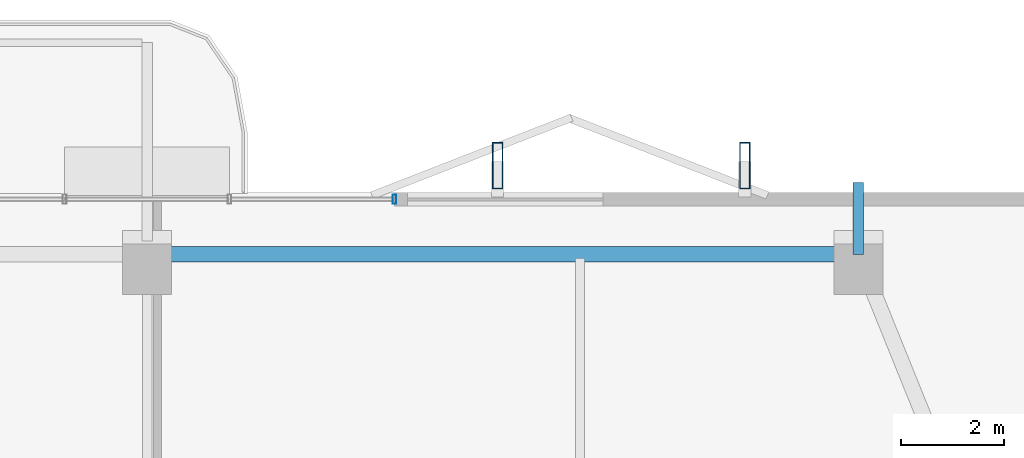
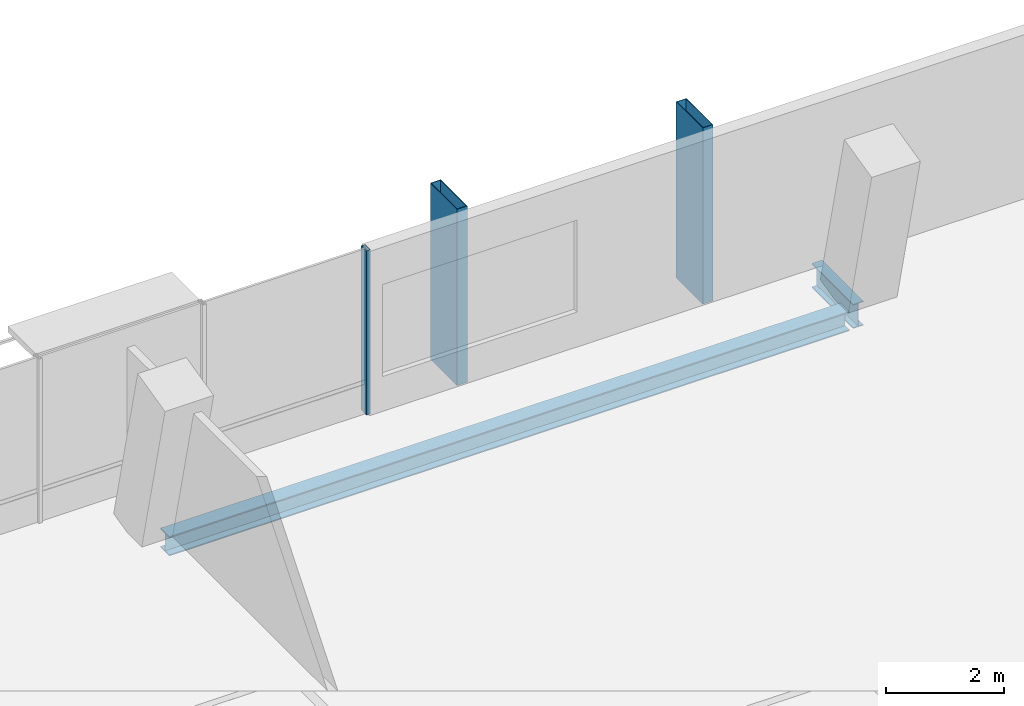
# One storey, part 16 of 25: 3 members, 2 beams, 1 element without a shape of its own.
"""IFC4 building model written with IfcOpenShell, lengths in metres."""

from ifc_helpers import new_model, si_unit, direction, frame, origin, origin_2d, place, context, subcontext, project, spatial, hollow_rectangle, i_section, extrude, material, layer, layer_set, material_profile, profile_set, type_object, element, aggregate, save


model = new_model("IFC4")

# Units and contexts
model_context = context("Model", 3, precision=1e-05, world=origin(), true_north=direction((0.0, 1.0)))
body_context = subcontext(model_context, "Body", "Model", "MODEL_VIEW")
ifc_project = project(units=[si_unit("LENGTHUNIT", "METRE"), si_unit("AREAUNIT", "SQUARE_METRE"), si_unit("VOLUMEUNIT", "CUBIC_METRE"), si_unit("PLANEANGLEUNIT", "RADIAN"), si_unit("MASSUNIT", "GRAM", prefix="KILO")], contexts=[model_context])

# Site, building, storey
site_placement = place(None, origin())
site = spatial("IfcSite", under=ifc_project, at=site_placement, CompositionType="ELEMENT")
building_placement = place(site_placement, origin())
building = spatial("IfcBuilding", under=site, at=building_placement, Name="Belovzor Exchange Tower", CompositionType="ELEMENT")
storey_placement = place(building_placement, frame((0.0, 0.0, 280.35009765625)))
storey = spatial("IfcBuildingStorey", under=building, at=storey_placement, Name="L70", CompositionType="ELEMENT", Elevation=280.35009765625)

# Beam
ifc_material_1 = material(Name="Steel S355", Category="steel")
ifc_material_profile_1 = material_profile(ifc_material_1, i_section(OverallWidth=0.199951171875, OverallDepth=0.5, WebThickness=0.01025390625, FlangeThickness=0.01611328125, at=origin_2d()))
ifc_profile_set_1 = profile_set([ifc_material_profile_1], Name="Steel S355")
beam_type_1 = type_object("IfcBeamType", Name="Planted Balcony Cantilever Beam IPE 500", PredefinedType="BEAM", material=ifc_profile_set_1)
beam_1_placement = place(storey_placement, frame((42.60009765625, 52.5, -0.5), z_axis=(0.0, 1.0, 0.0), x_axis=(-1.0, 0.0, 0.0)))
element("IfcBeam", 1, at=beam_1_placement, inside=storey, type_object=beam_type_1, Name="BC-500 Planted Balcony Cantilever Beam IPE 500", PredefinedType="BEAM", context=body_context, shape_type="SweptSolid", body=[
    extrude(i_section(OverallWidth=0.199951171875, OverallDepth=0.5, WebThickness=0.01025390625, FlangeThickness=0.01611328125, at=origin_2d()), origin(), (0.0, 0.0, 1.0), 1.39990234375),
])

# Members
ifc_material_2 = material(Name="Extruded Architectural Terracotta on Steel S355 Carrier", Category="masonry")
ifc_material_profile_2 = material_profile(ifc_material_2, hollow_rectangle(XDim=0.199951171875, YDim=0.89990234375, WallThickness=0.011962890625, at=origin_2d()))
ifc_profile_set_2 = profile_set([ifc_material_profile_2], Name="Extruded Architectural Terracotta on Steel S355 Carrier")
member_type_1 = type_object("IfcMemberType", Name="Sweeping Terracotta Baguette Fin Assembly 950", PredefinedType="USERDEFINED", material=ifc_profile_set_2)
for number, where, z_axis, x_axis, name in (
    (2, (35.60009765625, 54.22509765625, -0.25), (0.0, 0.0, 1.0), (1.0, 0.0, 0.0), "FIN-TC095 Terracotta Facade Fin L70 N3"),
    (3, (40.39990234375, 54.22509765625, -0.25), (0.0, 0.0, 1.0), (1.0, 0.0, 0.0), "FIN-TC095 Terracotta Facade Fin L70 N4"),
):
    element("IfcMember", number, at=place(storey_placement, frame(where, z_axis=z_axis, x_axis=x_axis)), inside=storey, type_object=member_type_1, Name=name, ObjectType="FIN", PredefinedType="USERDEFINED", context=body_context, shape_type="SweptSolid", body=[
        extrude(hollow_rectangle(XDim=0.199951171875, YDim=0.89990234375, WallThickness=0.011962890625, at=origin_2d()), origin(), (0.0, 0.0, 1.0), 3.639892578125),
    ])

# Curtain wall, member
ifc_material_3 = material(Name="Anodised Aluminium Framing", Category="aluminium")
ifc_layer = layer(ifc_material_3, 0.179931640625)
ifc_layer_set = layer_set([ifc_layer], Name="Anodised Aluminium Framing")
curtain_wall_type = type_object("IfcCurtainWallType", Name="Recessed Loggia Low-Iron Triple-Glazed Curtain Wall", PredefinedType="NOTDEFINED", material=ifc_layer_set)
curtain_wall_placement = place(storey_placement, origin())
curtain_wall = element("IfcCurtainWall", 4, at=curtain_wall_placement, inside=storey, type_object=curtain_wall_type, Name="CW3 Recessed Loggia Low-Iron Triple-Glazed Curtain Wall L70", PredefinedType="NOTDEFINED")
ifc_material_4 = material(Name="Steel S355", Category="steel")
ifc_material_profile_3 = material_profile(ifc_material_4, hollow_rectangle(XDim=0.074951171875, YDim=0.179931640625, WallThickness=0.0048828125, at=origin_2d()))
ifc_profile_set_3 = profile_set([ifc_material_profile_3], Name="Steel S355")
member_type_2 = type_object("IfcMemberType", Name="Thermally Broken Curtain Wall Mullion 180x75", PredefinedType="MULLION", material=ifc_profile_set_3)
member_placement = place(storey_placement, frame((33.60009765625, 53.570068359375, 0.0), z_axis=(0.0, 0.0, 1.0), x_axis=(1.0, 0.0, 0.0)))
member = element("IfcMember", 5, at=member_placement, type_object=member_type_2, Name="CW-M180 Curtain Wall Mullion 4", PredefinedType="MULLION", context=body_context, shape_type="SweptSolid", body=[
    extrude(hollow_rectangle(XDim=0.074951171875, YDim=0.179931640625, WallThickness=0.0048828125, at=origin_2d()), origin(), (0.0, 0.0, 1.0), 3.389892578125),
])
aggregate(curtain_wall, [member])

# Beam
ifc_material_5 = material(Name="Steel S355", Category="steel")
ifc_material_profile_4 = material_profile(ifc_material_5, i_section(OverallWidth=0.300048828125, OverallDepth=0.39990234375, WebThickness=0.013427734375, FlangeThickness=0.02392578125, at=origin_2d()))
ifc_profile_set_4 = profile_set([ifc_material_profile_4], Name="Steel S355")
beam_type_2 = type_object("IfcBeamType", Name="Zone 5 Primary Girder HEB 400", PredefinedType="BEAM", material=ifc_profile_set_4)
beam_2_placement = place(storey_placement, frame((42.339111328125, 52.5, -0.4501953125), z_axis=(-1.0, 0.0, 0.0), x_axis=(0.0, -1.0, 0.0)))
element("IfcBeam", 6, at=beam_2_placement, inside=storey, type_object=beam_type_2, Name="FG-Z5 Zone 5 Primary Girder HEB 400", PredefinedType="BEAM", context=body_context, shape_type="SweptSolid", body=[
    extrude(i_section(OverallWidth=0.300048828125, OverallDepth=0.39990234375, WebThickness=0.013427734375, FlangeThickness=0.02392578125, at=origin_2d()), origin(), (0.0, 0.0, 1.0), 13.278076171875),
])

save(model, "model.ifc")
